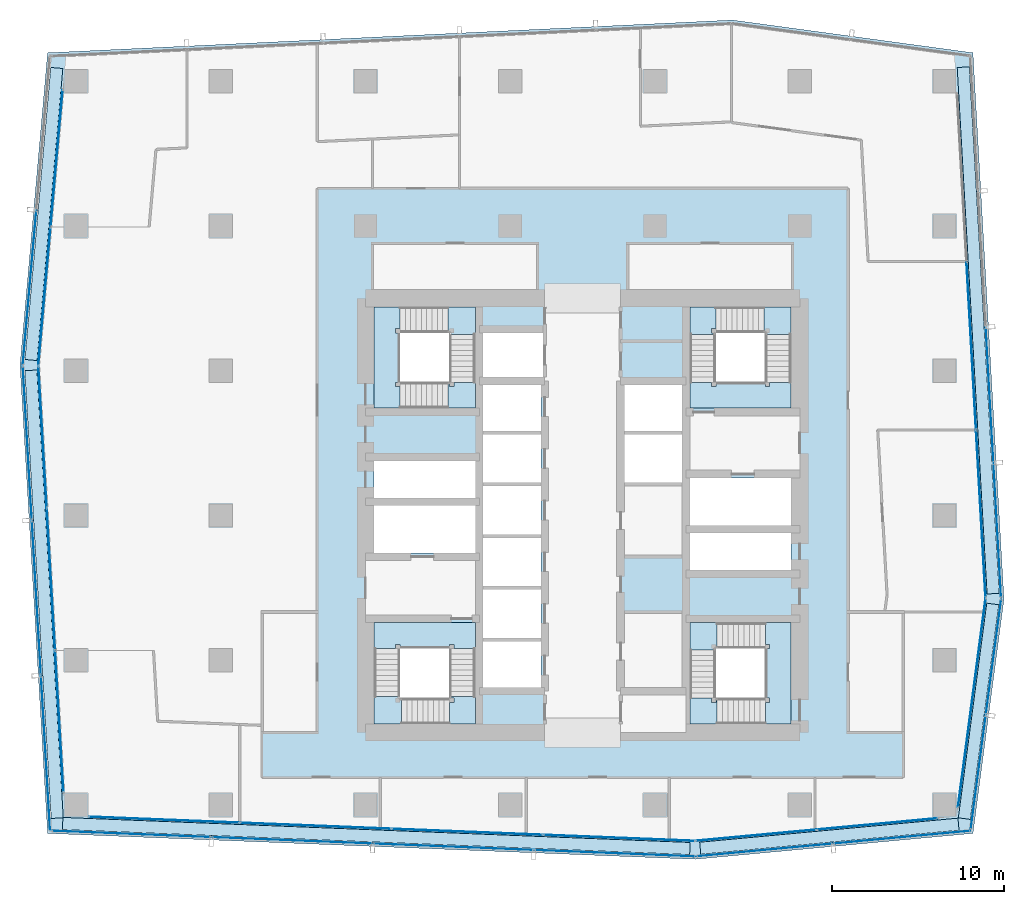
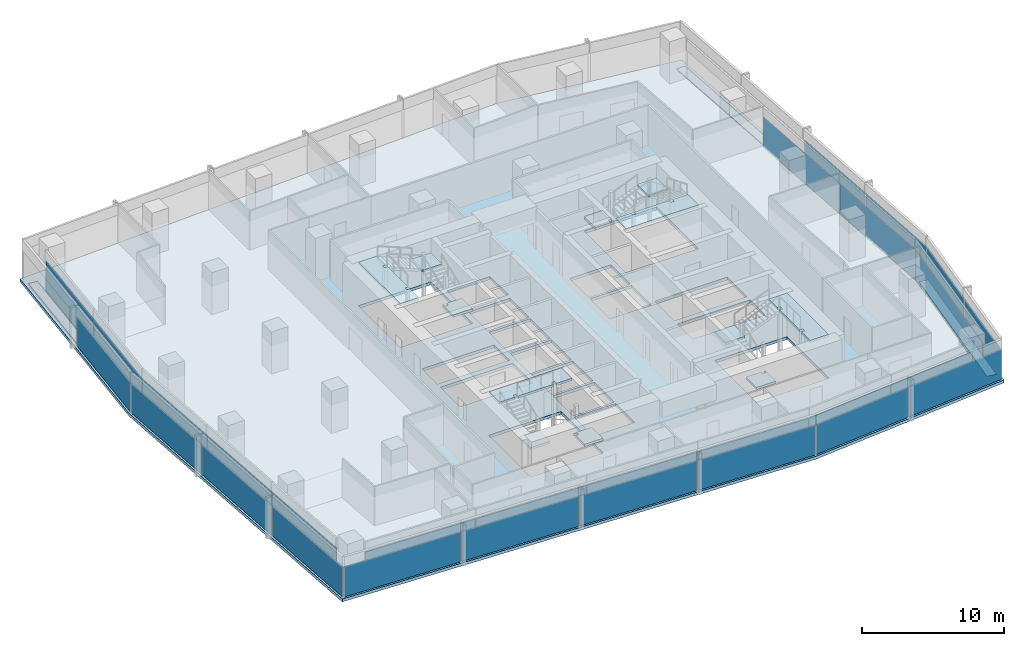
# One storey, part 26 of 40: 34 plates, 13 slabs, 16 elements without a shape of their own.
"""IFC4 building model written with IfcOpenShell, lengths in metres."""

from ifc_helpers import new_model, si_unit, direction, frame, origin, origin_2d, place, context, subcontext, project, spatial, polyline, rectangle, outline, extrude, material, layer, layer_set, type_object, element, aggregate, save


model = new_model("IFC4")

# Units and contexts
model_context = context("Model", 3, precision=1e-05, world=origin(), true_north=direction((0.0, 1.0)))
body_context = subcontext(model_context, "Body", "Model", "MODEL_VIEW")
ifc_project = project(units=[si_unit("LENGTHUNIT", "METRE"), si_unit("AREAUNIT", "SQUARE_METRE"), si_unit("VOLUMEUNIT", "CUBIC_METRE"), si_unit("PLANEANGLEUNIT", "RADIAN"), si_unit("MASSUNIT", "GRAM", prefix="KILO")], contexts=[model_context])

# Site, building, storey
site_placement = place(None, origin())
site = spatial("IfcSite", under=ifc_project, at=site_placement, CompositionType="ELEMENT")
building_placement = place(site_placement, origin())
building = spatial("IfcBuilding", under=site, at=building_placement, Name="Rekha Terrace Tower", CompositionType="ELEMENT")
storey_placement = place(building_placement, frame((0.0, 0.0, 213.949951171875)))
storey = spatial("IfcBuildingStorey", under=building, at=storey_placement, Name="L54", CompositionType="ELEMENT", Elevation=213.949951171875)

# Curtain wall, plates
ifc_material_1 = material(Name="Aluminium framing", Category="aluminium")
curtain_wall_type_1 = type_object("IfcCurtainWallType", Name="CW1 double skin inner glazing", PredefinedType="USERDEFINED", material=ifc_material_1)
curtain_wall_1_placement = place(storey_placement, origin())
curtain_wall_1 = element("IfcCurtainWall", 1, at=curtain_wall_1_placement, inside=storey, type_object=curtain_wall_type_1, Name="CW1 double skin inner glazing", ObjectType="DOUBLE SKIN INNER GLAZING", PredefinedType="USERDEFINED")
ifc_material_2 = material(Name="Double-glazed low-e unit 32", Category="glass")
ifc_layer_1 = layer(ifc_material_2, 0.031982421875)
ifc_layer_set_1 = layer_set([ifc_layer_1], Name="Double-glazed low-e unit 32")
plate_type_1 = type_object("IfcPlateType", Name="CW1 jumbo vision panel, double-glazed low-e unit 32", PredefinedType="CURTAIN_PANEL", material=ifc_layer_set_1)
plate_1_placement = place(storey_placement, frame((13.51318359375, 15.94091796875, 0.0), z_axis=(0.0, 0.0, 1.0), x_axis=(0.999204775798, -0.039872497061, 0.0)))
plate_1 = element("IfcPlate", 2, at=plate_1_placement, type_object=plate_type_1, Name="CW1 panel 1.1", PredefinedType="CURTAIN_PANEL", context=body_context, shape_type="SweptSolid", body=[
    extrude(rectangle(XDim=8.7138671875, YDim=0.031982421875, at=origin_2d()), origin(), (0.0, 0.0, 1.0), 2.60009765625),
])
plate_2_placement = place(storey_placement, frame((22.301025390625, 15.59033203125, 0.0), z_axis=(0.0, 0.0, 1.0), x_axis=(0.999204775798, -0.039872497061, 0.0)))
plate_2 = element("IfcPlate", 3, at=plate_2_placement, type_object=plate_type_1, Name="CW1 panel 2.1", PredefinedType="CURTAIN_PANEL", context=body_context, shape_type="SweptSolid", body=[
    extrude(rectangle(XDim=8.746337890625, YDim=0.031982421875, at=origin_2d()), origin(), (0.0, 0.0, 1.0), 2.60009765625),
])
plate_3_placement = place(storey_placement, frame((31.10546875, 15.239013671875, 0.0), z_axis=(0.0, 0.0, 1.0), x_axis=(0.999204775798, -0.039872497061, 0.0)))
plate_3 = element("IfcPlate", 4, at=plate_3_placement, type_object=plate_type_1, Name="CW1 panel 3.1", PredefinedType="CURTAIN_PANEL", context=body_context, shape_type="SweptSolid", body=[
    extrude(rectangle(XDim=8.746337890625, YDim=0.031982421875, at=origin_2d()), origin(), (0.0, 0.0, 1.0), 2.60009765625),
])
plate_4_placement = place(storey_placement, frame((39.926025390625, 14.886962890625, 0.0), z_axis=(0.0, 0.0, 1.0), x_axis=(0.999204775798, -0.039872497061, 0.0)))
plate_4 = element("IfcPlate", 5, at=plate_4_placement, type_object=plate_type_1, Name="CW1 panel 4.1", PredefinedType="CURTAIN_PANEL", context=body_context, shape_type="SweptSolid", body=[
    extrude(rectangle(XDim=8.77880859375, YDim=0.031982421875, at=origin_2d()), origin(), (0.0, 0.0, 1.0), 2.60009765625),
])
aggregate(curtain_wall_1, [plate_1, plate_2, plate_3, plate_4])

curtain_wall_2_placement = place(storey_placement, origin())
curtain_wall_2 = element("IfcCurtainWall", 6, at=curtain_wall_2_placement, inside=storey, type_object=curtain_wall_type_1, Name="CW1 double skin inner glazing", ObjectType="DOUBLE SKIN INNER GLAZING", PredefinedType="USERDEFINED")
plate_5_placement = place(storey_placement, frame((47.863037109375, 15.042724609375, 0.0), z_axis=(0.0, 0.0, 1.0), x_axis=(0.995693258742, 0.092708869564, 0.0)))
plate_5 = element("IfcPlate", 7, at=plate_5_placement, type_object=plate_type_1, Name="CW1 panel 1.1", PredefinedType="CURTAIN_PANEL", context=body_context, shape_type="SweptSolid", body=[
    extrude(rectangle(XDim=7.003173828125, YDim=0.031982421875, at=origin_2d()), origin(), (0.0, 0.0, 1.0), 2.60009765625),
])
plate_6_placement = place(storey_placement, frame((54.90087890625, 15.697998046875, 0.0), z_axis=(0.0, 0.0, 1.0), x_axis=(0.995693258742, 0.092708869564, 0.0)))
plate_6 = element("IfcPlate", 8, at=plate_6_placement, type_object=plate_type_1, Name="CW1 panel 2.1", PredefinedType="CURTAIN_PANEL", context=body_context, shape_type="SweptSolid", body=[
    extrude(rectangle(XDim=7.003173828125, YDim=0.031982421875, at=origin_2d()), origin(), (0.0, 0.0, 1.0), 2.60009765625),
])
aggregate(curtain_wall_2, [plate_5, plate_6])

# Curtain wall, plate
curtain_wall_3_placement = place(storey_placement, origin())
curtain_wall_3 = element("IfcCurtainWall", 9, at=curtain_wall_3_placement, inside=storey, type_object=curtain_wall_type_1, Name="CW1 double skin inner glazing", ObjectType="DOUBLE SKIN INNER GLAZING", PredefinedType="USERDEFINED")
plate_7_placement = place(storey_placement, frame((60.38330078125, 22.718505859375, 0.0), z_axis=(0.0, 0.0, 1.0), x_axis=(0.131303603093, 0.991342203185, 0.0)))
plate_7 = element("IfcPlate", 10, at=plate_7_placement, type_object=plate_type_1, Name="CW1 panel 1.1", PredefinedType="CURTAIN_PANEL", context=body_context, shape_type="SweptSolid", body=[
    extrude(rectangle(XDim=12.228759765625, YDim=0.031982421875, at=origin_2d()), origin(), (0.0, 0.0, 1.0), 2.60009765625),
])
aggregate(curtain_wall_3, [plate_7])

# Curtain wall, plates
curtain_wall_4_placement = place(storey_placement, origin())
curtain_wall_4 = element("IfcCurtainWall", 11, at=curtain_wall_4_placement, inside=storey, type_object=curtain_wall_type_1, Name="CW1 double skin inner glazing", ObjectType="DOUBLE SKIN INNER GLAZING", PredefinedType="USERDEFINED")
plate_8_placement = place(storey_placement, frame((60.90771484375, 33.68408203125, 0.0), z_axis=(0.0, 0.0, 1.0), x_axis=(-0.05667319486, 0.998392782919, 0.0)))
plate_8 = element("IfcPlate", 12, at=plate_8_placement, type_object=plate_type_1, Name="CW1 panel 1.1", PredefinedType="CURTAIN_PANEL", context=body_context, shape_type="SweptSolid", body=[
    extrude(rectangle(XDim=9.694091796875, YDim=0.031982421875, at=origin_2d()), origin(), (0.0, 0.0, 1.0), 2.60009765625),
])
plate_9_placement = place(storey_placement, frame((60.353759765625, 43.44384765625, 0.0), z_axis=(0.0, 0.0, 1.0), x_axis=(-0.05667319486, 0.998392782919, 0.0)))
plate_9 = element("IfcPlate", 13, at=plate_9_placement, type_object=plate_type_1, Name="CW1 panel 2.1", PredefinedType="CURTAIN_PANEL", context=body_context, shape_type="SweptSolid", body=[
    extrude(rectangle(XDim=9.7265625, YDim=0.031982421875, at=origin_2d()), origin(), (0.0, 0.0, 1.0), 2.60009765625),
])
aggregate(curtain_wall_4, [plate_8, plate_9])

curtain_wall_5_placement = place(storey_placement, origin())
curtain_wall_5 = element("IfcCurtainWall", 14, at=curtain_wall_5_placement, inside=storey, type_object=curtain_wall_type_1, Name="CW1 double skin inner glazing", ObjectType="DOUBLE SKIN INNER GLAZING", PredefinedType="USERDEFINED")
plate_10_placement = place(storey_placement, frame((7.273193359375, 54.32421875, 0.0), z_axis=(0.0, 0.0, 1.0), x_axis=(-0.087957985523, -0.996124185422, 0.0)))
plate_10 = element("IfcPlate", 15, at=plate_10_placement, type_object=plate_type_1, Name="CW1 panel 1.1", PredefinedType="CURTAIN_PANEL", context=body_context, shape_type="SweptSolid", body=[
    extrude(rectangle(XDim=7.950927734375, YDim=0.031982421875, at=origin_2d()), origin(), (0.0, 0.0, 1.0), 2.60009765625),
])
plate_11_placement = place(storey_placement, frame((6.565185546875, 46.306884765625, 0.0), z_axis=(0.0, 0.0, 1.0), x_axis=(-0.087957985523, -0.996124185422, 0.0)))
plate_11 = element("IfcPlate", 16, at=plate_11_placement, type_object=plate_type_1, Name="CW1 panel 2.1", PredefinedType="CURTAIN_PANEL", context=body_context, shape_type="SweptSolid", body=[
    extrude(rectangle(XDim=8.01611328125, YDim=0.031982421875, at=origin_2d()), origin(), (0.0, 0.0, 1.0), 2.60009765625),
])
aggregate(curtain_wall_5, [plate_10, plate_11])

curtain_wall_6_placement = place(storey_placement, origin())
curtain_wall_6 = element("IfcCurtainWall", 17, at=curtain_wall_6_placement, inside=storey, type_object=curtain_wall_type_1, Name="CW1 double skin inner glazing", ObjectType="DOUBLE SKIN INNER GLAZING", PredefinedType="USERDEFINED")
plate_12_placement = place(storey_placement, frame((6.457275390625, 38.1611328125, 0.0), z_axis=(0.0, 0.0, 1.0), x_axis=(0.058765082516, -0.998271839269, 0.0)))
plate_12 = element("IfcPlate", 18, at=plate_12_placement, type_object=plate_type_1, Name="CW1 panel 1.1", PredefinedType="CURTAIN_PANEL", context=body_context, shape_type="SweptSolid", body=[
    extrude(rectangle(XDim=8.19091796875, YDim=0.031982421875, at=origin_2d()), origin(), (0.0, 0.0, 1.0), 2.60009765625),
])
plate_13_placement = place(storey_placement, frame((6.943359375, 29.9033203125, 0.0), z_axis=(0.0, 0.0, 1.0), x_axis=(0.058765082516, -0.998271839269, 0.0)))
plate_13 = element("IfcPlate", 19, at=plate_13_placement, type_object=plate_type_1, Name="CW1 panel 2.1", PredefinedType="CURTAIN_PANEL", context=body_context, shape_type="SweptSolid", body=[
    extrude(rectangle(XDim=8.223388671875, YDim=0.031982421875, at=origin_2d()), origin(), (0.0, 0.0, 1.0), 2.60009765625),
])
plate_14_placement = place(storey_placement, frame((7.429443359375, 21.645263671875, 0.0), z_axis=(0.0, 0.0, 1.0), x_axis=(0.058765082516, -0.998271839269, 0.0)))
plate_14 = element("IfcPlate", 20, at=plate_14_placement, type_object=plate_type_1, Name="CW1 panel 3.1", PredefinedType="CURTAIN_PANEL", context=body_context, shape_type="SweptSolid", body=[
    extrude(rectangle(XDim=8.19091796875, YDim=0.031982421875, at=origin_2d()), origin(), (0.0, 0.0, 1.0), 2.60009765625),
])
aggregate(curtain_wall_6, [plate_12, plate_13, plate_14])

curtain_wall_type_2 = type_object("IfcCurtainWallType", Name="CW2 double skin outer glazing", PredefinedType="USERDEFINED", material=ifc_material_1)
curtain_wall_7_placement = place(storey_placement, origin())
curtain_wall_7 = element("IfcCurtainWall", 21, at=curtain_wall_7_placement, inside=storey, type_object=curtain_wall_type_2, Name="CW2 double skin outer glazing", ObjectType="DOUBLE SKIN OUTER GLAZING", PredefinedType="USERDEFINED")
ifc_material_3 = material(Name="Toughened single glazing 12", Category="glass")
ifc_layer_2 = layer(ifc_material_3, 0.011962890625)
ifc_layer_set_2 = layer_set([ifc_layer_2], Name="Toughened single glazing 12")
plate_type_2 = type_object("IfcPlateType", Name="CW2 jumbo vision panel, toughened single glazing 12", PredefinedType="CURTAIN_PANEL", material=ifc_layer_set_2)
plate_15_placement = place(storey_placement, frame((11.6005859375, 15.116455078125, 0.0), z_axis=(0.0, 0.0, 1.0), x_axis=(0.999204775799, -0.039872497044, 0.0)))
plate_15 = element("IfcPlate", 22, at=plate_15_placement, type_object=plate_type_2, Name="CW2 panel 1.1", PredefinedType="CURTAIN_PANEL", context=body_context, shape_type="SweptSolid", body=[
    extrude(rectangle(XDim=9.24609375, YDim=0.011962890625, at=origin_2d()), origin(), (0.0, 0.0, 1.0), 2.60009765625),
])
plate_16_placement = place(storey_placement, frame((20.939208984375, 14.743896484375, 0.0), z_axis=(0.0, 0.0, 1.0), x_axis=(0.999204775799, -0.039872497044, 0.0)))
plate_16 = element("IfcPlate", 23, at=plate_16_placement, type_object=plate_type_2, Name="CW2 panel 2.1", PredefinedType="CURTAIN_PANEL", context=body_context, shape_type="SweptSolid", body=[
    extrude(rectangle(XDim=9.2861328125, YDim=0.011962890625, at=origin_2d()), origin(), (0.0, 0.0, 1.0), 2.60009765625),
])
plate_17_placement = place(storey_placement, frame((30.2978515625, 14.370361328125, 0.0), z_axis=(0.0, 0.0, 1.0), x_axis=(0.999204775799, -0.039872497044, 0.0)))
plate_17 = element("IfcPlate", 24, at=plate_17_placement, type_object=plate_type_2, Name="CW2 panel 3.1", PredefinedType="CURTAIN_PANEL", context=body_context, shape_type="SweptSolid", body=[
    extrude(rectangle(XDim=9.2861328125, YDim=0.011962890625, at=origin_2d()), origin(), (0.0, 0.0, 1.0), 2.60009765625),
])
plate_18_placement = place(storey_placement, frame((39.676513671875, 13.996337890625, 0.0), z_axis=(0.0, 0.0, 1.0), x_axis=(0.999204775799, -0.039872497044, 0.0)))
plate_18 = element("IfcPlate", 25, at=plate_18_placement, type_object=plate_type_2, Name="CW2 panel 4.1", PredefinedType="CURTAIN_PANEL", context=body_context, shape_type="SweptSolid", body=[
    extrude(rectangle(XDim=9.326171875, YDim=0.011962890625, at=origin_2d()), origin(), (0.0, 0.0, 1.0), 2.60009765625),
])
aggregate(curtain_wall_7, [plate_15, plate_16, plate_17, plate_18])

curtain_wall_8_placement = place(storey_placement, origin())
curtain_wall_8 = element("IfcCurtainWall", 26, at=curtain_wall_8_placement, inside=storey, type_object=curtain_wall_type_2, Name="CW2 double skin outer glazing", ObjectType="DOUBLE SKIN OUTER GLAZING", PredefinedType="USERDEFINED")
plate_19_placement = place(storey_placement, frame((48.348876953125, 14.183837890625, 0.0), z_axis=(0.0, 0.0, 1.0), x_axis=(0.995693258747, 0.092708869512, 0.0)))
plate_19 = element("IfcPlate", 27, at=plate_19_placement, type_object=plate_type_2, Name="CW2 panel 1.1", PredefinedType="CURTAIN_PANEL", context=body_context, shape_type="SweptSolid", body=[
    extrude(rectangle(XDim=7.900634765625, YDim=0.011962890625, at=origin_2d()), origin(), (0.0, 0.0, 1.0), 2.60009765625),
])
plate_20_placement = place(storey_placement, frame((56.3349609375, 14.927490234375, 0.0), z_axis=(0.0, 0.0, 1.0), x_axis=(0.995693258747, 0.092708869512, 0.0)))
plate_20 = element("IfcPlate", 28, at=plate_20_placement, type_object=plate_type_2, Name="CW2 panel 2.1", PredefinedType="CURTAIN_PANEL", context=body_context, shape_type="SweptSolid", body=[
    extrude(rectangle(XDim=7.980712890625, YDim=0.011962890625, at=origin_2d()), origin(), (0.0, 0.0, 1.0), 2.60009765625),
])
aggregate(curtain_wall_8, [plate_19, plate_20])

curtain_wall_9_placement = place(storey_placement, origin())
curtain_wall_9 = element("IfcCurtainWall", 29, at=curtain_wall_9_placement, inside=storey, type_object=curtain_wall_type_2, Name="CW2 double skin outer glazing", ObjectType="DOUBLE SKIN OUTER GLAZING", PredefinedType="USERDEFINED")
plate_21_placement = place(storey_placement, frame((60.756103515625, 18.679443359375, 0.0), z_axis=(0.0, 0.0, 1.0), x_axis=(0.131303603075, 0.991342203187, 0.0)))
plate_21 = element("IfcPlate", 30, at=plate_21_placement, type_object=plate_type_2, Name="CW2 panel 1.1", PredefinedType="CURTAIN_PANEL", context=body_context, shape_type="SweptSolid", body=[
    extrude(rectangle(XDim=6.6630859375, YDim=0.011962890625, at=origin_2d()), origin(), (0.0, 0.0, 1.0), 2.60009765625),
])
plate_22_placement = place(storey_placement, frame((61.646728515625, 25.40380859375, 0.0), z_axis=(0.0, 0.0, 1.0), x_axis=(0.131303603075, 0.991342203187, 0.0)))
plate_22 = element("IfcPlate", 31, at=plate_22_placement, type_object=plate_type_2, Name="CW2 panel 2.1", PredefinedType="CURTAIN_PANEL", context=body_context, shape_type="SweptSolid", body=[
    extrude(rectangle(XDim=6.742919921875, YDim=0.011962890625, at=origin_2d()), origin(), (0.0, 0.0, 1.0), 2.60009765625),
])
aggregate(curtain_wall_9, [plate_21, plate_22])

curtain_wall_10_placement = place(storey_placement, origin())
curtain_wall_10 = element("IfcCurtainWall", 32, at=curtain_wall_10_placement, inside=storey, type_object=curtain_wall_type_2, Name="CW2 double skin outer glazing", ObjectType="DOUBLE SKIN OUTER GLAZING", PredefinedType="USERDEFINED")
plate_23_placement = place(storey_placement, frame((61.8642578125, 32.71142578125, 0.0), z_axis=(0.0, 0.0, 1.0), x_axis=(-0.05667319486, 0.998392782919, 0.0)))
plate_23 = element("IfcPlate", 33, at=plate_23_placement, type_object=plate_type_2, Name="CW2 panel 1.1", PredefinedType="CURTAIN_PANEL", context=body_context, shape_type="SweptSolid", body=[
    extrude(rectangle(XDim=7.783447265625, YDim=0.011962890625, at=origin_2d()), origin(), (0.0, 0.0, 1.0), 2.60009765625),
])
plate_24_placement = place(storey_placement, frame((61.41748046875, 40.582275390625, 0.0), z_axis=(0.0, 0.0, 1.0), x_axis=(-0.05667319486, 0.998392782919, 0.0)))
plate_24 = element("IfcPlate", 34, at=plate_24_placement, type_object=plate_type_2, Name="CW2 panel 2.1", PredefinedType="CURTAIN_PANEL", context=body_context, shape_type="SweptSolid", body=[
    extrude(rectangle(XDim=7.823486328125, YDim=0.011962890625, at=origin_2d()), origin(), (0.0, 0.0, 1.0), 2.60009765625),
])
aggregate(curtain_wall_10, [plate_23, plate_24])

# Curtain wall, plate
curtain_wall_11_placement = place(storey_placement, origin())
curtain_wall_11 = element("IfcCurtainWall", 35, at=curtain_wall_11_placement, inside=storey, type_object=curtain_wall_type_2, Name="CW2 double skin outer glazing", ObjectType="DOUBLE SKIN OUTER GLAZING", PredefinedType="USERDEFINED")
plate_25_placement = place(storey_placement, frame((5.705322265625, 46.800048828125, 0.0), z_axis=(0.0, 0.0, 1.0), x_axis=(-0.087957985453, -0.996124185428, 0.0)))
plate_25 = element("IfcPlate", 36, at=plate_25_placement, type_object=plate_type_2, Name="CW2 panel 2.1", PredefinedType="CURTAIN_PANEL", context=body_context, shape_type="SweptSolid", body=[
    extrude(rectangle(XDim=8.9794921875, YDim=0.011962890625, at=origin_2d()), origin(), (0.0, 0.0, 1.0), 2.60009765625),
])
aggregate(curtain_wall_11, [plate_25])

# Curtain wall, plates
curtain_wall_12_placement = place(storey_placement, origin())
curtain_wall_12 = element("IfcCurtainWall", 37, at=curtain_wall_12_placement, inside=storey, type_object=curtain_wall_type_2, Name="CW2 double skin outer glazing", ObjectType="DOUBLE SKIN OUTER GLAZING", PredefinedType="USERDEFINED")
plate_26_placement = place(storey_placement, frame((5.57666015625, 37.8037109375, 0.0), z_axis=(0.0, 0.0, 1.0), x_axis=(0.058765082499, -0.99827183927, 0.0)))
plate_26 = element("IfcPlate", 38, at=plate_26_placement, type_object=plate_type_2, Name="CW2 panel 1.1", PredefinedType="CURTAIN_PANEL", context=body_context, shape_type="SweptSolid", body=[
    extrude(rectangle(XDim=8.903564453125, YDim=0.011962890625, at=origin_2d()), origin(), (0.0, 0.0, 1.0), 2.60009765625),
])
plate_27_placement = place(storey_placement, frame((6.105712890625, 28.81591796875, 0.0), z_axis=(0.0, 0.0, 1.0), x_axis=(0.058765082499, -0.99827183927, 0.0)))
plate_27 = element("IfcPlate", 39, at=plate_27_placement, type_object=plate_type_2, Name="CW2 panel 2.1", PredefinedType="CURTAIN_PANEL", context=body_context, shape_type="SweptSolid", body=[
    extrude(rectangle(XDim=8.943359375, YDim=0.011962890625, at=origin_2d()), origin(), (0.0, 0.0, 1.0), 2.60009765625),
])
plate_28_placement = place(storey_placement, frame((6.63720703125, 19.7880859375, 0.0), z_axis=(0.0, 0.0, 1.0), x_axis=(0.058765082499, -0.99827183927, 0.0)))
plate_28 = element("IfcPlate", 40, at=plate_28_placement, type_object=plate_type_2, Name="CW2 panel 3.1", PredefinedType="CURTAIN_PANEL", context=body_context, shape_type="SweptSolid", body=[
    extrude(rectangle(XDim=8.9833984375, YDim=0.011962890625, at=origin_2d()), origin(), (0.0, 0.0, 1.0), 2.60009765625),
])
aggregate(curtain_wall_12, [plate_26, plate_27, plate_28])

# Plates
ifc_material_4 = material(Name="Galvanised steel open grating", Category="steel")
ifc_layer_3 = layer(ifc_material_4, 0.050048828125)
ifc_layer_set_3 = layer_set([ifc_layer_3], Name="Galvanised steel open grating")
plate_type_3 = type_object("IfcPlateType", Name="GT1 cavity walkway grating 50", PredefinedType="USERDEFINED", material=ifc_layer_set_3)
plate_29_placement = place(storey_placement, frame((25.8251953125, 14.999267578125, 0.0), z_axis=(0.0, 0.0, 1.0), x_axis=(0.999204775799, -0.039872497044, 0.0)))
element("IfcPlate", 41, at=plate_29_placement, inside=storey, type_object=plate_type_3, Name="Cavity walkway grating", ObjectType="CAVITY WALKWAY GRATING", PredefinedType="USERDEFINED", context=body_context, shape_type="SweptSolid", body=[
    extrude(rectangle(XDim=36.4267578125, YDim=0.705078125, at=origin_2d()), origin(), (0.0, 0.0, 1.0), 0.050048828125),
])
plate_30_placement = place(storey_placement, frame((52.116455078125, 14.98681640625, 0.0), z_axis=(0.0, 0.0, 1.0), x_axis=(0.995693258745, 0.092708869529, 0.0)))
element("IfcPlate", 42, at=plate_30_placement, inside=storey, type_object=plate_type_3, Name="Cavity walkway grating", ObjectType="CAVITY WALKWAY GRATING", PredefinedType="USERDEFINED", context=body_context, shape_type="SweptSolid", body=[
    extrude(rectangle(XDim=15.052734375, YDim=0.705078125, at=origin_2d()), origin(), (0.0, 0.0, 1.0), 0.050048828125),
])
plate_31_placement = place(storey_placement, frame((60.7734375, 22.237548828125, 0.0), z_axis=(0.0, 0.0, 1.0), x_axis=(0.131303603075, 0.991342203187, 0.0)))
element("IfcPlate", 43, at=plate_31_placement, inside=storey, type_object=plate_type_3, Name="Cavity walkway grating", ObjectType="CAVITY WALKWAY GRATING", PredefinedType="USERDEFINED", context=body_context, shape_type="SweptSolid", body=[
    extrude(rectangle(XDim=12.564697265625, YDim=0.705078125, at=origin_2d()), origin(), (0.0, 0.0, 1.0), 0.050048828125),
])
plate_32_placement = place(storey_placement, frame((60.753662109375, 44.338134765625, 0.0), z_axis=(0.0, 0.0, 1.0), x_axis=(-0.05667319486, 0.998392782919, 0.0)))
element("IfcPlate", 44, at=plate_32_placement, inside=storey, type_object=plate_type_3, Name="Cavity walkway grating", ObjectType="CAVITY WALKWAY GRATING", PredefinedType="USERDEFINED", context=body_context, shape_type="SweptSolid", body=[
    extrude(rectangle(XDim=30.6005859375, YDim=0.705078125, at=origin_2d()), origin(), (0.0, 0.0, 1.0), 0.050048828125),
])
plate_33_placement = place(storey_placement, frame((6.5361328125, 51.093505859375, 0.0), z_axis=(0.0, 0.0, 1.0), x_axis=(-0.087957985471, -0.996124185427, 0.0)))
element("IfcPlate", 45, at=plate_33_placement, inside=storey, type_object=plate_type_3, Name="Cavity walkway grating", ObjectType="CAVITY WALKWAY GRATING", PredefinedType="USERDEFINED", context=body_context, shape_type="SweptSolid", body=[
    extrude(rectangle(XDim=17.013427734375, YDim=0.705078125, at=origin_2d()), origin(), (0.0, 0.0, 1.0), 0.050048828125),
])
plate_34_placement = place(storey_placement, frame((6.5439453125, 29.029296875, 0.0), z_axis=(0.0, 0.0, 1.0), x_axis=(0.058765082516, -0.998271839269, 0.0)))
element("IfcPlate", 46, at=plate_34_placement, inside=storey, type_object=plate_type_3, Name="Cavity walkway grating", ObjectType="CAVITY WALKWAY GRATING", PredefinedType="USERDEFINED", context=body_context, shape_type="SweptSolid", body=[
    extrude(rectangle(XDim=26.029541015625, YDim=0.705078125, at=origin_2d()), origin(), (0.0, 0.0, 1.0), 0.050048828125),
])

# Stair, slabs
ifc_material_5 = material(Name="Concrete M40", Category="concrete")
stair_type = type_object("IfcStairType", Name="ST30 stair, 30 risers of 125, going 310, 1500 wide flights, 3 flights", PredefinedType="HALF_TURN_STAIR", material=ifc_material_5)
stair_1_placement = place(storey_placement, origin())
stair_1 = element("IfcStair", 47, at=stair_1_placement, inside=storey, type_object=stair_type, Name="Stair ST1 L54 to L55", PredefinedType="HALF_TURN_STAIR")
ifc_layer_4 = layer(ifc_material_5, 0.199951171875)
ifc_layer_set_4 = layer_set([ifc_layer_4], Name="Concrete M40")
slab_type_1 = type_object("IfcSlabType", Name="LD1 200 concrete stair landing", PredefinedType="LANDING", material=ifc_layer_set_4)
slab_1_placement = place(storey_placement, frame((0.0, 0.0, 1.050048828125)))
slab_1 = element("IfcSlab", 48, at=slab_1_placement, type_object=slab_type_1, Name="ST1 landing 1", PredefinedType="LANDING", context=body_context, shape_type="SweptSolid", body=[
    extrude(outline(polyline([(30.074951171875, 21.5), (31.574951171875, 21.5), (31.574951171875, 23.0849609375), (30.074951171875, 23.0849609375), (30.074951171875, 23.0), (30.324951171875, 23.0), (30.324951171875, 22.75), (30.074951171875, 22.75), (30.074951171875, 21.5)])), origin(), (0.0, 0.0, 1.0), 0.199951171875),
])
slab_2_placement = place(storey_placement, frame((0.0, 0.0, 2.300048828125)))
slab_2 = element("IfcSlab", 49, at=slab_2_placement, type_object=slab_type_1, Name="ST1 landing 2", PredefinedType="LANDING", context=body_context, shape_type="SweptSolid", body=[
    extrude(outline(polyline([(27.199951171875, 23.0849609375), (25.699951171875, 23.0849609375), (25.699951171875, 21.5), (27.284912109375, 21.5), (27.284912109375, 23.0), (27.199951171875, 23.0), (27.199951171875, 23.0849609375)])), origin(), (0.0, 0.0, 1.0), 0.199951171875),
])
slab_3_placement = place(storey_placement, frame((0.0, 0.0, 3.550048828125)))
slab_3 = element("IfcSlab", 50, at=slab_3_placement, type_object=slab_type_1, Name="ST1 landing 3", PredefinedType="LANDING", context=body_context, shape_type="SweptSolid", body=[
    extrude(outline(polyline([(31.574951171875, 25.875), (31.574951171875, 27.375), (25.699951171875, 27.375), (25.699951171875, 25.875), (26.949951171875, 25.875), (26.949951171875, 26.125), (27.199951171875, 26.125), (27.199951171875, 25.875), (30.074951171875, 25.875), (30.074951171875, 26.125), (30.324951171875, 26.125), (30.324951171875, 25.875), (31.574951171875, 25.875)])), origin(), (0.0, 0.0, 1.0), 0.199951171875),
])
aggregate(stair_1, [slab_1, slab_2, slab_3])

stair_2_placement = place(storey_placement, origin())
stair_2 = element("IfcStair", 51, at=stair_2_placement, inside=storey, type_object=stair_type, Name="Stair ST2 L54 to L55", PredefinedType="HALF_TURN_STAIR")
slab_4_placement = place(storey_placement, frame((0.0, 0.0, 1.050048828125)))
slab_4 = element("IfcSlab", 52, at=slab_4_placement, type_object=slab_type_1, Name="ST2 landing 1", PredefinedType="LANDING", context=body_context, shape_type="SweptSolid", body=[
    extrude(outline(polyline([(45.52490234375, 45.699951171875), (44.02490234375, 45.699951171875), (44.02490234375, 44.114990234375), (45.52490234375, 44.114990234375), (45.52490234375, 44.199951171875), (45.27490234375, 44.199951171875), (45.27490234375, 44.449951171875), (45.52490234375, 44.449951171875), (45.52490234375, 45.699951171875)])), origin(), (0.0, 0.0, 1.0), 0.199951171875),
])
slab_5_placement = place(storey_placement, frame((0.0, 0.0, 2.300048828125)))
slab_5 = element("IfcSlab", 53, at=slab_5_placement, type_object=slab_type_1, Name="ST2 landing 2", PredefinedType="LANDING", context=body_context, shape_type="SweptSolid", body=[
    extrude(outline(polyline([(48.39990234375, 44.114990234375), (49.89990234375, 44.114990234375), (49.89990234375, 45.699951171875), (48.31494140625, 45.699951171875), (48.31494140625, 44.199951171875), (48.39990234375, 44.199951171875), (48.39990234375, 44.114990234375)])), origin(), (0.0, 0.0, 1.0), 0.199951171875),
])
slab_6_placement = place(storey_placement, frame((0.0, 0.0, 3.550048828125)))
slab_6 = element("IfcSlab", 54, at=slab_6_placement, type_object=slab_type_1, Name="ST2 landing 3", PredefinedType="LANDING", context=body_context, shape_type="SweptSolid", body=[
    extrude(outline(polyline([(44.02490234375, 41.324951171875), (44.02490234375, 39.824951171875), (49.89990234375, 39.824951171875), (49.89990234375, 41.324951171875), (48.64990234375, 41.324951171875), (48.64990234375, 41.074951171875), (48.39990234375, 41.074951171875), (48.39990234375, 41.324951171875), (45.52490234375, 41.324951171875), (45.52490234375, 41.074951171875), (45.27490234375, 41.074951171875), (45.27490234375, 41.324951171875), (44.02490234375, 41.324951171875)])), origin(), (0.0, 0.0, 1.0), 0.199951171875),
])
aggregate(stair_2, [slab_4, slab_5, slab_6])

stair_3_placement = place(storey_placement, origin())
stair_3 = element("IfcStair", 55, at=stair_3_placement, inside=storey, type_object=stair_type, Name="Stair ST3 L54 to L55", PredefinedType="HALF_TURN_STAIR")
slab_7_placement = place(storey_placement, frame((0.0, 0.0, 1.050048828125)))
slab_7 = element("IfcSlab", 56, at=slab_7_placement, type_object=slab_type_1, Name="ST3 landing 1", PredefinedType="LANDING", context=body_context, shape_type="SweptSolid", body=[
    extrude(outline(polyline([(44.02490234375, 23.0), (44.02490234375, 21.5), (45.610107421875, 21.5), (45.610107421875, 23.0), (45.52490234375, 23.0), (45.52490234375, 22.75), (45.27490234375, 22.75), (45.27490234375, 23.0), (44.02490234375, 23.0)])), origin(), (0.0, 0.0, 1.0), 0.199951171875),
])
slab_8_placement = place(storey_placement, frame((0.0, 0.0, 2.300048828125)))
slab_8 = element("IfcSlab", 57, at=slab_8_placement, type_object=slab_type_1, Name="ST3 landing 2", PredefinedType="LANDING", context=body_context, shape_type="SweptSolid", body=[
    extrude(outline(polyline([(45.610107421875, 25.875), (45.610107421875, 27.375), (44.02490234375, 27.375), (44.02490234375, 25.7900390625), (45.52490234375, 25.7900390625), (45.52490234375, 25.875), (45.610107421875, 25.875)])), origin(), (0.0, 0.0, 1.0), 0.199951171875),
])
slab_9_placement = place(storey_placement, frame((0.0, 0.0, 3.550048828125)))
slab_9 = element("IfcSlab", 58, at=slab_9_placement, type_object=slab_type_1, Name="ST3 landing 3", PredefinedType="LANDING", context=body_context, shape_type="SweptSolid", body=[
    extrude(outline(polyline([(48.39990234375, 21.5), (49.89990234375, 21.5), (49.89990234375, 27.375), (48.39990234375, 27.375), (48.39990234375, 26.125), (48.64990234375, 26.125), (48.64990234375, 25.875), (48.39990234375, 25.875), (48.39990234375, 23.0), (48.64990234375, 23.0), (48.64990234375, 22.75), (48.39990234375, 22.75), (48.39990234375, 21.5)])), origin(), (0.0, 0.0, 1.0), 0.199951171875),
])
aggregate(stair_3, [slab_7, slab_8, slab_9])

stair_4_placement = place(storey_placement, origin())
stair_4 = element("IfcStair", 59, at=stair_4_placement, inside=storey, type_object=stair_type, Name="Stair ST4 L54 to L55", PredefinedType="HALF_TURN_STAIR")
slab_10_placement = place(storey_placement, frame((0.0, 0.0, 1.050048828125)))
slab_10 = element("IfcSlab", 60, at=slab_10_placement, type_object=slab_type_1, Name="ST4 landing 1", PredefinedType="LANDING", context=body_context, shape_type="SweptSolid", body=[
    extrude(outline(polyline([(31.574951171875, 41.324951171875), (31.574951171875, 39.824951171875), (29.989990234375, 39.824951171875), (29.989990234375, 41.324951171875), (30.074951171875, 41.324951171875), (30.074951171875, 41.074951171875), (30.324951171875, 41.074951171875), (30.324951171875, 41.324951171875), (31.574951171875, 41.324951171875)])), origin(), (0.0, 0.0, 1.0), 0.199951171875),
])
slab_11_placement = place(storey_placement, frame((0.0, 0.0, 2.300048828125)))
slab_11 = element("IfcSlab", 61, at=slab_11_placement, type_object=slab_type_1, Name="ST4 landing 2", PredefinedType="LANDING", context=body_context, shape_type="SweptSolid", body=[
    extrude(outline(polyline([(29.989990234375, 44.199951171875), (29.989990234375, 45.699951171875), (31.574951171875, 45.699951171875), (31.574951171875, 44.114990234375), (30.074951171875, 44.114990234375), (30.074951171875, 44.199951171875), (29.989990234375, 44.199951171875)])), origin(), (0.0, 0.0, 1.0), 0.199951171875),
])
slab_12_placement = place(storey_placement, frame((0.0, 0.0, 3.550048828125)))
slab_12 = element("IfcSlab", 62, at=slab_12_placement, type_object=slab_type_1, Name="ST4 landing 3", PredefinedType="LANDING", context=body_context, shape_type="SweptSolid", body=[
    extrude(outline(polyline([(27.199951171875, 39.824951171875), (25.699951171875, 39.824951171875), (25.699951171875, 45.699951171875), (27.199951171875, 45.699951171875), (27.199951171875, 44.449951171875), (26.949951171875, 44.449951171875), (26.949951171875, 44.199951171875), (27.199951171875, 44.199951171875), (27.199951171875, 41.324951171875), (26.949951171875, 41.324951171875), (26.949951171875, 41.074951171875), (27.199951171875, 41.074951171875), (27.199951171875, 39.824951171875)])), origin(), (0.0, 0.0, 1.0), 0.199951171875),
])
aggregate(stair_4, [slab_10, slab_11, slab_12])

# Slab
ifc_material_6 = material(Name="Concrete M50", Category="concrete")
ifc_layer_5 = layer(ifc_material_6, 0.25)
ifc_layer_set_5 = layer_set([ifc_layer_5], Name="Concrete M50")
slab_type_2 = type_object("IfcSlabType", Name="SL4 250 post-tensioned flat plate", PredefinedType="FLOOR", material=ifc_layer_set_5)
slab_13_placement = place(storey_placement, frame((0.0, 0.0, -0.25)))
element("IfcSlab", 63, at=slab_13_placement, inside=storey, type_object=slab_type_2, Name="Post-tensioned flat plate L54", PredefinedType="FLOOR", context=body_context, shape_type="SweptSolid", body=[
    extrude(outline(polyline([(5.14990234375, 42.330078125), (6.75, 15.14990234375), (44.340087890625, 13.64990234375), (60.449951171875, 15.14990234375), (62.25, 28.739990234375), (60.449951171875, 60.449951171875), (46.488037109375, 62.35009765625), (6.75, 60.449951171875), (5.14990234375, 42.330078125)]), holes=[polyline([(31.574951171875, 27.375), (31.574951171875, 21.5), (25.699951171875, 21.5), (25.699951171875, 27.375), (31.574951171875, 27.375)]), polyline([(35.375, 26.300048828125), (35.375, 23.625), (32.02490234375, 23.625), (32.02490234375, 26.300048828125), (35.375, 26.300048828125)]), polyline([(35.375, 29.300048828125), (35.375, 26.5), (32.02490234375, 26.5), (32.02490234375, 29.300048828125), (35.375, 29.300048828125)]), polyline([(35.375, 32.300048828125), (35.375, 29.5), (32.02490234375, 29.5), (32.02490234375, 32.300048828125), (35.375, 32.300048828125)]), polyline([(31.574951171875, 34.175048828125), (31.574951171875, 31.425048828125), (25.699951171875, 31.425048828125), (25.699951171875, 34.175048828125), (31.574951171875, 34.175048828125)]), polyline([(35.375, 35.300048828125), (35.375, 32.5), (32.02490234375, 32.5), (32.02490234375, 35.300048828125), (35.375, 35.300048828125)]), polyline([(31.574951171875, 36.77490234375), (31.574951171875, 34.625), (25.699951171875, 34.625), (25.699951171875, 36.77490234375), (31.574951171875, 36.77490234375)]), polyline([(35.375, 38.300048828125), (35.375, 35.5), (32.02490234375, 35.5), (32.02490234375, 38.300048828125), (35.375, 38.300048828125)]), polyline([(31.574951171875, 45.699951171875), (31.574951171875, 39.824951171875), (25.699951171875, 39.824951171875), (25.699951171875, 45.699951171875), (31.574951171875, 45.699951171875)]), polyline([(49.89990234375, 27.375), (49.89990234375, 21.5), (44.02490234375, 21.5), (44.02490234375, 27.375), (49.89990234375, 27.375)]), polyline([(49.89990234375, 32.574951171875), (49.89990234375, 30.425048828125), (44.02490234375, 30.425048828125), (44.02490234375, 32.574951171875), (49.89990234375, 32.574951171875)]), polyline([(49.89990234375, 35.77490234375), (49.89990234375, 33.02490234375), (44.02490234375, 33.02490234375), (44.02490234375, 35.77490234375), (49.89990234375, 35.77490234375)]), polyline([(43.574951171875, 38.300048828125), (43.574951171875, 35.5), (40.22509765625, 35.5), (40.22509765625, 38.300048828125), (43.574951171875, 38.300048828125)]), polyline([(35.375, 41.175048828125), (35.375, 38.5), (32.02490234375, 38.5), (32.02490234375, 41.175048828125), (35.375, 41.175048828125)]), polyline([(43.574951171875, 41.175048828125), (43.574951171875, 38.5), (40.22509765625, 38.5), (40.22509765625, 41.175048828125), (43.574951171875, 41.175048828125)]), polyline([(49.89990234375, 39.824951171875), (44.02490234375, 39.824951171875), (44.02490234375, 45.699951171875), (49.89990234375, 45.699951171875), (49.89990234375, 39.824951171875)]), polyline([(35.5, 41.625), (32.02490234375, 41.625), (32.02490234375, 44.175048828125), (35.5, 44.175048828125), (35.5, 41.625)])]), origin(), (0.0, 0.0, 1.0), 0.25),
])

save(model, "model.ifc")
